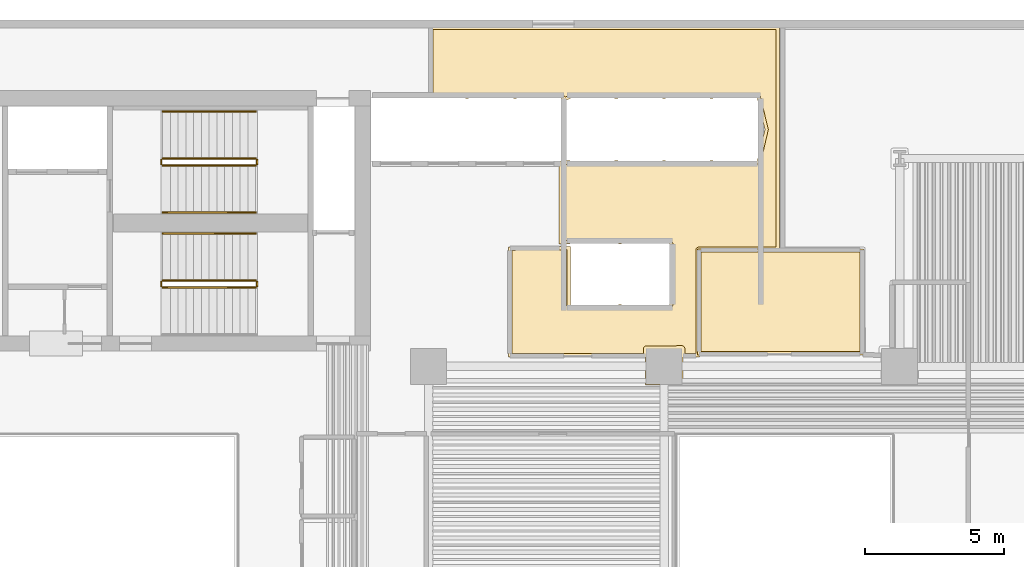
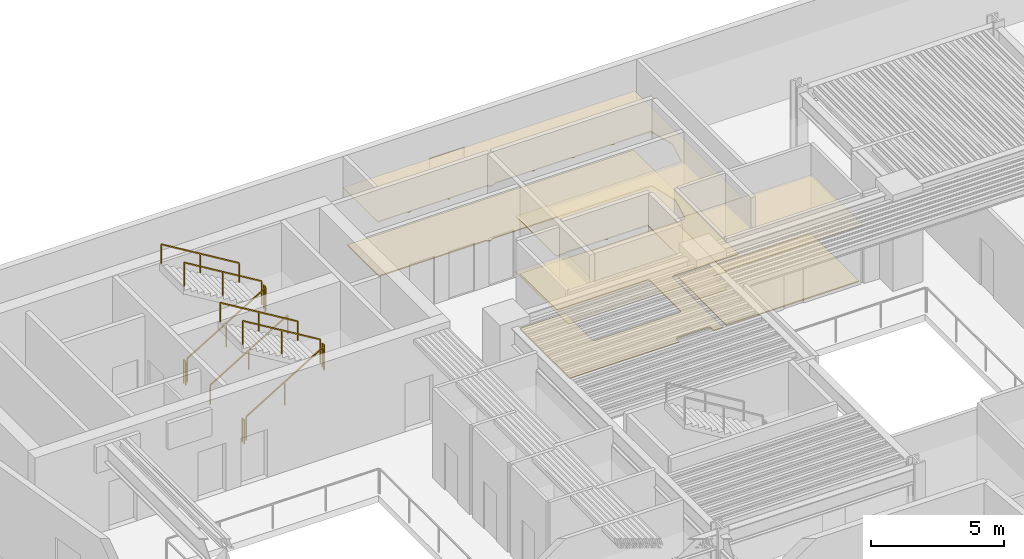
# One storey, part 10 of 11: 11 railings, 4 coverings.
"""IFC4 building model written with IfcOpenShell, lengths in metres."""

from ifc_helpers import new_model, si_unit, direction, frame, origin, origin_2d, place, context, subcontext, project, spatial, polyline, rectangle, outline, extrude, material, layer, layer_set, type_object, element, save


model = new_model("IFC4")

# Units and contexts
model_context = context("Model", 3, precision=1e-05, world=origin(), true_north=direction((0.0, 1.0)))
body_context = subcontext(model_context, "Body", "Model", "MODEL_VIEW")
ifc_project = project(units=[si_unit("LENGTHUNIT", "METRE"), si_unit("AREAUNIT", "SQUARE_METRE"), si_unit("VOLUMEUNIT", "CUBIC_METRE"), si_unit("PLANEANGLEUNIT", "RADIAN"), si_unit("MASSUNIT", "GRAM", prefix="KILO")], contexts=[model_context])

# Site, building, storey
site_placement = place(None, origin())
site = spatial("IfcSite", under=ifc_project, at=site_placement, CompositionType="ELEMENT")
building_placement = place(site_placement, origin())
building = spatial("IfcBuilding", under=site, at=building_placement, Name="Caeloran Harvest Quay", CompositionType="ELEMENT")
storey_placement = place(building_placement, frame((0.0, 0.0, 40.199951171875)))
storey = spatial("IfcBuildingStorey", under=building, at=storey_placement, Name="L09", CompositionType="ELEMENT", Elevation=40.199951171875)

# Coverings
ifc_material_1 = material(Name="Perforated Mineral-Fibre Acoustic Ceiling Tile", Category="ceiling")
ifc_layer_1 = layer(ifc_material_1, 0.0400390625, Name="Perforated Mineral-Fibre Acoustic Ceiling Tile")
ifc_layer_set_1 = layer_set([ifc_layer_1], Name="Perforated Mineral-Fibre Acoustic Ceiling Tile")
covering_type_1 = type_object("IfcCoveringType", Name="COV-CEILING-ACOUSTIC", PredefinedType="CEILING", material=ifc_layer_set_1)
covering_1_placement = place(storey_placement, frame((0.0, 0.0, 2.60009765625)))
element("IfcCovering", 1, at=covering_1_placement, inside=storey, type_object=covering_type_1, Name="L09 Core Telemetry Control Room Acoustic Ceiling", PredefinedType="CEILING", context=body_context, shape_type="SweptSolid", body=[
    extrude(outline(polyline([(41.18994140625, 35.239990234375), (41.18994140625, 31.409912109375), (35.2099609375, 31.409912109375), (35.2099609375, 35.239990234375), (41.18994140625, 35.239990234375)])), origin(), (0.0, 0.0, 1.0), 0.0400390625),
])
covering_2_placement = place(storey_placement, frame((0.0, 0.0, 2.60009765625)))
element("IfcCovering", 2, at=covering_2_placement, inside=storey, type_object=covering_type_1, Name="Saffron and Herb Vertical Growing Room 9 Acoustic Ceiling", PredefinedType="CEILING", context=body_context, shape_type="SweptSolid", body=[
    extrude(outline(polyline([(34.669921875, 30.330078125), (33.330078125, 30.330078125), (33.330078125, 31.340087890625), (28.389892578125, 31.340087890625), (28.389892578125, 35.31005859375), (30.212890625, 35.31005859375), (30.22021484375, 35.330078125), (30.610107421875, 35.330078125), (30.610107421875, 33.2099609375), (32.34130859375, 33.2099609375), (32.34423828125, 33.2294921875), (32.39990234375, 33.23779296875), (32.452880859375, 33.22998046875), (32.4580078125, 33.2099609375), (34.18994140625, 33.2099609375), (34.18994140625, 35.43994140625), (32.458740234375, 35.43994140625), (32.455810546875, 35.42041015625), (32.39990234375, 35.412109375), (32.346923828125, 35.420166015625), (32.342041015625, 35.43994140625), (30.607177734375, 35.43994140625), (30.599853515625, 35.419921875), (30.2099609375, 35.419921875), (30.2099609375, 38.212890625), (30.18994140625, 38.22021484375), (30.18994140625, 38.409912109375), (30.27294921875, 38.409912109375), (30.280029296875, 38.429931640625), (30.599853515625, 38.429931640625), (30.607177734375, 38.409912109375), (32.211181640625, 38.409912109375), (32.214111328125, 38.429443359375), (32.27001953125, 38.437744140625), (32.322998046875, 38.429931640625), (32.327880859375, 38.409912109375), (33.931396484375, 38.409912109375), (33.93408203125, 38.429443359375), (33.989990234375, 38.437744140625), (34.04296875, 38.429931640625), (34.0478515625, 38.409912109375), (35.6513671875, 38.409912109375), (35.654296875, 38.429443359375), (35.7099609375, 38.437744140625), (35.762939453125, 38.429931640625), (35.767822265625, 38.409912109375), (37.3701171875, 38.409912109375), (37.3701171875, 38.483642578125), (37.63720703125, 39.550048828125), (37.3701171875, 40.6162109375), (37.3701171875, 40.68994140625), (35.768798828125, 40.68994140625), (35.765869140625, 40.67041015625), (35.7099609375, 40.662109375), (35.656982421875, 40.670166015625), (35.652099609375, 40.68994140625), (34.048583984375, 40.68994140625), (34.0458984375, 40.67041015625), (33.989990234375, 40.662109375), (33.93701171875, 40.670166015625), (33.93212890625, 40.68994140625), (32.32861328125, 40.68994140625), (32.32568359375, 40.67041015625), (32.27001953125, 40.662109375), (32.217041015625, 40.670166015625), (32.212158203125, 40.68994140625), (30.610107421875, 40.68994140625), (30.610107421875, 40.67138671875), (30.43994140625, 40.591064453125), (30.27001953125, 40.67138671875), (30.27001953125, 40.68994140625), (28.668701171875, 40.68994140625), (28.665771484375, 40.67041015625), (28.610107421875, 40.662109375), (28.556884765625, 40.670166015625), (28.552001953125, 40.68994140625), (26.94873046875, 40.68994140625), (26.94580078125, 40.67041015625), (26.889892578125, 40.662109375), (26.8369140625, 40.670166015625), (26.83203125, 40.68994140625), (25.5400390625, 40.68994140625), (25.5400390625, 43.280029296875), (38.159912109375, 43.280029296875), (38.159912109375, 35.18994140625), (35.260009765625, 35.18994140625), (35.260009765625, 31.45703125), (35.280029296875, 31.449951171875), (35.280029296875, 31.340087890625), (34.669921875, 31.340087890625), (34.669921875, 30.330078125)])), origin(), (0.0, 0.0, 1.0), 0.0400390625),
])
ifc_material_2 = material(Name="Calcium-Sulphate Raised Access Floor and Terrazzo Finish", Category="flooring")
ifc_layer_2 = layer(ifc_material_2, 0.050048828125, Name="Calcium-Sulphate Raised Access Floor and Terrazzo Finish")
ifc_layer_set_2 = layer_set([ifc_layer_2], Name="Calcium-Sulphate Raised Access Floor and Terrazzo Finish")
covering_type_2 = type_object("IfcCoveringType", Name="COV-FLOOR-RAISED", PredefinedType="FLOORING", material=ifc_layer_set_2)
covering_3_placement = place(storey_placement, origin())
element("IfcCovering", 3, at=covering_3_placement, inside=storey, type_object=covering_type_2, Name="L09 Core Telemetry Control Room Raised Finish Flooring", PredefinedType="FLOORING", context=body_context, shape_type="SweptSolid", body=[
    extrude(outline(polyline([(41.070068359375, 35.1201171875), (41.070068359375, 31.530029296875), (35.330078125, 31.530029296875), (35.330078125, 35.1201171875), (41.070068359375, 35.1201171875)])), origin(), (0.0, 0.0, 1.0), 0.050048828125),
])
covering_4_placement = place(storey_placement, origin())
element("IfcCovering", 4, at=covering_4_placement, inside=storey, type_object=covering_type_2, Name="Saffron and Herb Vertical Growing Room 9 Raised Finish Flooring", PredefinedType="FLOORING", context=body_context, shape_type="SweptSolid", body=[
    extrude(outline(polyline([(30.280029296875, 40.81005859375), (25.659912109375, 40.81005859375), (25.659912109375, 43.159912109375), (38.0400390625, 43.159912109375), (38.0400390625, 35.31005859375), (35.25, 35.31005859375), (35.16259765625, 35.2666015625), (35.139892578125, 35.199951171875), (35.139892578125, 31.4599609375), (34.7451171875, 31.4599609375), (34.74169921875, 31.688232421875), (34.6650390625, 31.7451171875), (33.3193359375, 31.743408203125), (33.256591796875, 31.6806640625), (33.2548828125, 31.4599609375), (28.510009765625, 31.4599609375), (28.510009765625, 35.18994140625), (30.489990234375, 35.2099609375), (30.489990234375, 33.196044921875), (30.5615234375, 33.096923828125), (34.2578125, 33.1064453125), (34.31005859375, 33.199951171875), (34.31005859375, 35.449951171875), (34.2578125, 35.543701171875), (30.330078125, 35.5400390625), (30.31005859375, 38.294189453125), (37.415771484375, 38.2958984375), (37.486328125, 38.371826171875), (37.75830078125, 39.546142578125), (37.46240234375, 40.772705078125), (37.3798828125, 40.81005859375), (30.60009765625, 40.81005859375), (30.43994140625, 40.723876953125), (30.280029296875, 40.81005859375)])), origin(), (0.0, 0.0, 1.0), 0.050048828125),
])

# Railings
ifc_material_3 = material(Name="Painted Steel Baluster and Top-Rail Stair Guard", Category="steel")
ifc_layer_3 = layer(ifc_material_3, 0.050048828125, Name="Painted Steel Baluster and Top-Rail Stair Guard")
ifc_layer_set_3 = layer_set([ifc_layer_3], Name="Painted Steel Baluster and Top-Rail Stair Guard")
railing_type_1 = type_object("IfcRailingType", Name="STAIR-GUARD-1100", PredefinedType="GUARDRAIL", material=ifc_layer_set_3)
railing_1_placement = place(storey_placement, frame((15.89990234375, 38.25, 0.169189453125)))
element("IfcRailing", 5, at=railing_1_placement, inside=storey, type_object=railing_type_1, Name="L09 ST-C1 stair guard 1", PredefinedType="GUARDRAIL", context=body_context, shape_type="SweptSolid", body=[
    extrude(rectangle(XDim=0.048095703125, YDim=0.048095703125, at=origin_2d()), frame((0.0, 0.0, 1.076171875), z_axis=(0.855836976705, 0.0, 0.517245656632), x_axis=(0.0, 1.0, 0.0)), (0.0, 0.0, 1.0), 3.926025390625),
    extrude(rectangle(XDim=0.0419921875, YDim=0.0419921875, at=origin_2d()), origin(), (0.0, 0.0, 1.0), 1.052001953125),
    extrude(rectangle(XDim=0.0419921875, YDim=0.0419921875, at=origin_2d()), frame((1.68017578125, 0.0, 1.015380859375)), (0.0, 0.0, 1.0), 1.052001953125),
    extrude(rectangle(XDim=0.0419921875, YDim=0.0419921875, at=origin_2d()), frame((3.360107421875, 0.0, 2.03076171875)), (0.0, 0.0, 1.0), 1.052001953125),
])
railing_2_placement = place(storey_placement, frame((19.31005859375, 38.300048828125, 2.199951171875)))
element("IfcRailing", 6, at=railing_2_placement, inside=storey, type_object=railing_type_1, Name="L09 ST-C1 stair guard 2", PredefinedType="GUARDRAIL", context=body_context, shape_type="SweptSolid", body=[
    extrude(rectangle(XDim=0.048095703125, YDim=0.048095703125, at=origin_2d()), frame((0.0, 0.0, 1.076171875), z_axis=(0.0, 1.0, 0.0), x_axis=(-1.0, 0.0, 0.0)), (0.0, 0.0, 1.0), 0.14990234375),
    extrude(rectangle(XDim=0.0419921875, YDim=0.0419921875, at=origin_2d()), origin(), (0.0, 0.0, 1.0), 1.052001953125),
    extrude(rectangle(XDim=0.0419921875, YDim=0.0419921875, at=origin_2d()), frame((0.0, 0.14990234375, 0.0)), (0.0, 0.0, 1.0), 1.052001953125),
])
railing_3_placement = place(storey_placement, frame((19.260009765625, 38.5, 2.369384765625)))
element("IfcRailing", 7, at=railing_3_placement, inside=storey, type_object=railing_type_1, Name="L09 ST-C1 stair guard 3", PredefinedType="GUARDRAIL", context=body_context, shape_type="SweptSolid", body=[
    extrude(rectangle(XDim=0.048095703125, YDim=0.048095703125, at=origin_2d()), frame((0.0, 0.0, 1.076171875), z_axis=(-0.855836976705, 0.0, 0.517245656632), x_axis=(0.0, -1.0, 0.0)), (0.0, 0.0, 1.0), 3.926025390625),
    extrude(rectangle(XDim=0.0419921875, YDim=0.0419921875, at=origin_2d()), origin(), (0.0, 0.0, 1.0), 1.052001953125),
    extrude(rectangle(XDim=0.0419921875, YDim=0.0419921875, at=origin_2d()), frame((-1.68017578125, 0.0, 1.015380859375)), (0.0, 0.0, 1.0), 1.052001953125),
    extrude(rectangle(XDim=0.0419921875, YDim=0.0419921875, at=origin_2d()), frame((-3.360107421875, 0.0, 2.03076171875)), (0.0, 0.0, 1.0), 1.052001953125),
])
railing_4_placement = place(storey_placement, frame((15.85009765625, 38.300048828125, 0.0)))
element("IfcRailing", 8, at=railing_4_placement, inside=storey, type_object=railing_type_1, Name="L09 ST-C1 stair guard 4", PredefinedType="GUARDRAIL", context=body_context, shape_type="SweptSolid", body=[
    extrude(rectangle(XDim=0.048095703125, YDim=0.048095703125, at=origin_2d()), frame((0.0, 0.0, 1.076171875), z_axis=(0.0, 1.0, 0.0), x_axis=(-1.0, 0.0, 0.0)), (0.0, 0.0, 1.0), 0.14990234375),
    extrude(rectangle(XDim=0.0419921875, YDim=0.0419921875, at=origin_2d()), origin(), (0.0, 0.0, 1.0), 1.052001953125),
    extrude(rectangle(XDim=0.0419921875, YDim=0.0419921875, at=origin_2d()), frame((0.0, 0.14990234375, 0.0)), (0.0, 0.0, 1.0), 1.052001953125),
])
railing_5_placement = place(storey_placement, frame((15.89990234375, 33.85009765625, 0.169189453125)))
element("IfcRailing", 9, at=railing_5_placement, inside=storey, type_object=railing_type_1, Name="L09 ST-C2 stair guard 1", PredefinedType="GUARDRAIL", context=body_context, shape_type="SweptSolid", body=[
    extrude(rectangle(XDim=0.048095703125, YDim=0.048095703125, at=origin_2d()), frame((0.0, 0.0, 1.076171875), z_axis=(0.855836976705, 0.0, 0.517245656632), x_axis=(0.0, 1.0, 0.0)), (0.0, 0.0, 1.0), 3.926025390625),
    extrude(rectangle(XDim=0.0419921875, YDim=0.0419921875, at=origin_2d()), origin(), (0.0, 0.0, 1.0), 1.052001953125),
    extrude(rectangle(XDim=0.0419921875, YDim=0.0419921875, at=origin_2d()), frame((1.68017578125, 0.0, 1.015380859375)), (0.0, 0.0, 1.0), 1.052001953125),
    extrude(rectangle(XDim=0.0419921875, YDim=0.0419921875, at=origin_2d()), frame((3.360107421875, 0.0, 2.03076171875)), (0.0, 0.0, 1.0), 1.052001953125),
])
railing_6_placement = place(storey_placement, frame((19.31005859375, 33.89990234375, 2.199951171875)))
element("IfcRailing", 10, at=railing_6_placement, inside=storey, type_object=railing_type_1, Name="L09 ST-C2 stair guard 2", PredefinedType="GUARDRAIL", context=body_context, shape_type="SweptSolid", body=[
    extrude(rectangle(XDim=0.048095703125, YDim=0.048095703125, at=origin_2d()), frame((0.0, 0.0, 1.076171875), z_axis=(0.0, 1.0, 0.0), x_axis=(-1.0, 0.0, 0.0)), (0.0, 0.0, 1.0), 0.150146484375),
    extrude(rectangle(XDim=0.0419921875, YDim=0.0419921875, at=origin_2d()), origin(), (0.0, 0.0, 1.0), 1.052001953125),
    extrude(rectangle(XDim=0.0419921875, YDim=0.0419921875, at=origin_2d()), frame((0.0, 0.150146484375, 0.0)), (0.0, 0.0, 1.0), 1.052001953125),
])
railing_7_placement = place(storey_placement, frame((19.260009765625, 34.10009765625, 2.369384765625)))
element("IfcRailing", 11, at=railing_7_placement, inside=storey, type_object=railing_type_1, Name="L09 ST-C2 stair guard 3", PredefinedType="GUARDRAIL", context=body_context, shape_type="SweptSolid", body=[
    extrude(rectangle(XDim=0.048095703125, YDim=0.048095703125, at=origin_2d()), frame((0.0, 0.0, 1.076171875), z_axis=(-0.855836976705, 0.0, 0.517245656632), x_axis=(0.0, -1.0, 0.0)), (0.0, 0.0, 1.0), 3.926025390625),
    extrude(rectangle(XDim=0.0419921875, YDim=0.0419921875, at=origin_2d()), origin(), (0.0, 0.0, 1.0), 1.052001953125),
    extrude(rectangle(XDim=0.0419921875, YDim=0.0419921875, at=origin_2d()), frame((-1.68017578125, 0.0, 1.015380859375)), (0.0, 0.0, 1.0), 1.052001953125),
    extrude(rectangle(XDim=0.0419921875, YDim=0.0419921875, at=origin_2d()), frame((-3.360107421875, 0.0, 2.03076171875)), (0.0, 0.0, 1.0), 1.052001953125),
])
railing_8_placement = place(storey_placement, frame((15.85009765625, 33.89990234375, 0.0)))
element("IfcRailing", 12, at=railing_8_placement, inside=storey, type_object=railing_type_1, Name="L09 ST-C2 stair guard 4", PredefinedType="GUARDRAIL", context=body_context, shape_type="SweptSolid", body=[
    extrude(rectangle(XDim=0.048095703125, YDim=0.048095703125, at=origin_2d()), frame((0.0, 0.0, 1.076171875), z_axis=(0.0, 1.0, 0.0), x_axis=(-1.0, 0.0, 0.0)), (0.0, 0.0, 1.0), 0.150146484375),
    extrude(rectangle(XDim=0.0419921875, YDim=0.0419921875, at=origin_2d()), origin(), (0.0, 0.0, 1.0), 1.052001953125),
    extrude(rectangle(XDim=0.0419921875, YDim=0.0419921875, at=origin_2d()), frame((0.0, 0.150146484375, 0.0)), (0.0, 0.0, 1.0), 1.052001953125),
])
ifc_material_4 = material(Name="Brushed Stainless Steel Grade 304", Category="steel")
ifc_layer_4 = layer(ifc_material_4, 0.050048828125, Name="Brushed Stainless Steel Grade 304")
ifc_layer_set_4 = layer_set([ifc_layer_4], Name="Brushed Stainless Steel Grade 304")
railing_type_2 = type_object("IfcRailingType", Name="STAIR-HANDRAIL-900", PredefinedType="HANDRAIL", material=ifc_layer_set_4)
railing_9_placement = place(storey_placement, frame((15.89990234375, 36.550048828125, 0.169189453125)))
element("IfcRailing", 13, at=railing_9_placement, inside=storey, type_object=railing_type_2, Name="L09 ST-C1 stair handrail 1", PredefinedType="HANDRAIL", context=body_context, shape_type="SweptSolid", body=[
    extrude(rectangle(XDim=0.048095703125, YDim=0.048095703125, at=origin_2d()), frame((0.0, 0.0, 0.8759765625), z_axis=(0.855836976705, 0.0, 0.517245656632), x_axis=(0.0, 1.0, 0.0)), (0.0, 0.0, 1.0), 3.926025390625),
    extrude(rectangle(XDim=0.0419921875, YDim=0.0419921875, at=origin_2d()), origin(), (0.0, 0.0, 1.0), 0.851806640625),
    extrude(rectangle(XDim=0.0419921875, YDim=0.0419921875, at=origin_2d()), frame((1.68017578125, 0.0, 1.015380859375)), (0.0, 0.0, 1.0), 0.851806640625),
    extrude(rectangle(XDim=0.0419921875, YDim=0.0419921875, at=origin_2d()), frame((3.360107421875, 0.0, 2.03076171875)), (0.0, 0.0, 1.0), 0.851806640625),
])
for number, where, name in (
    (14, (19.260009765625, 40.199951171875, 2.369384765625), "L09 ST-C1 stair handrail 2"),
    (15, (19.260009765625, 35.800048828125, 2.369384765625), "L09 ST-C2 stair handrail 2"),
):
    element("IfcRailing", number, at=place(storey_placement, frame(where)), inside=storey, type_object=railing_type_2, Name=name, PredefinedType="HANDRAIL", context=body_context, shape_type="SweptSolid", body=[
        extrude(rectangle(XDim=0.048095703125, YDim=0.048095703125, at=origin_2d()), frame((0.0, 0.0, 0.8759765625), z_axis=(-0.855836976705, 0.0, 0.517245656632), x_axis=(0.0, -1.0, 0.0)), (0.0, 0.0, 1.0), 3.926025390625),
        extrude(rectangle(XDim=0.0419921875, YDim=0.0419921875, at=origin_2d()), origin(), (0.0, 0.0, 1.0), 0.851806640625),
        extrude(rectangle(XDim=0.0419921875, YDim=0.0419921875, at=origin_2d()), frame((-1.68017578125, 0.0, 1.015380859375)), (0.0, 0.0, 1.0), 0.851806640625),
        extrude(rectangle(XDim=0.0419921875, YDim=0.0419921875, at=origin_2d()), frame((-3.360107421875, 0.0, 2.03076171875)), (0.0, 0.0, 1.0), 0.851806640625),
    ])

save(model, "model.ifc")
